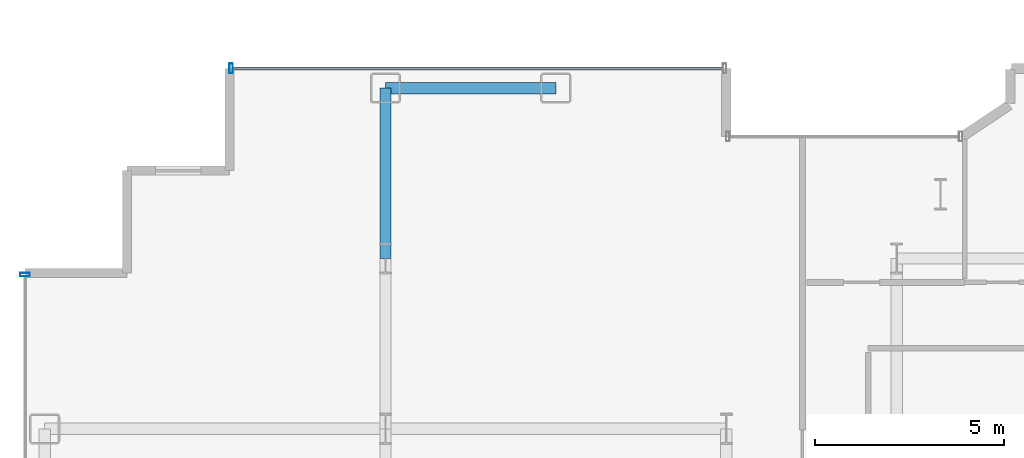
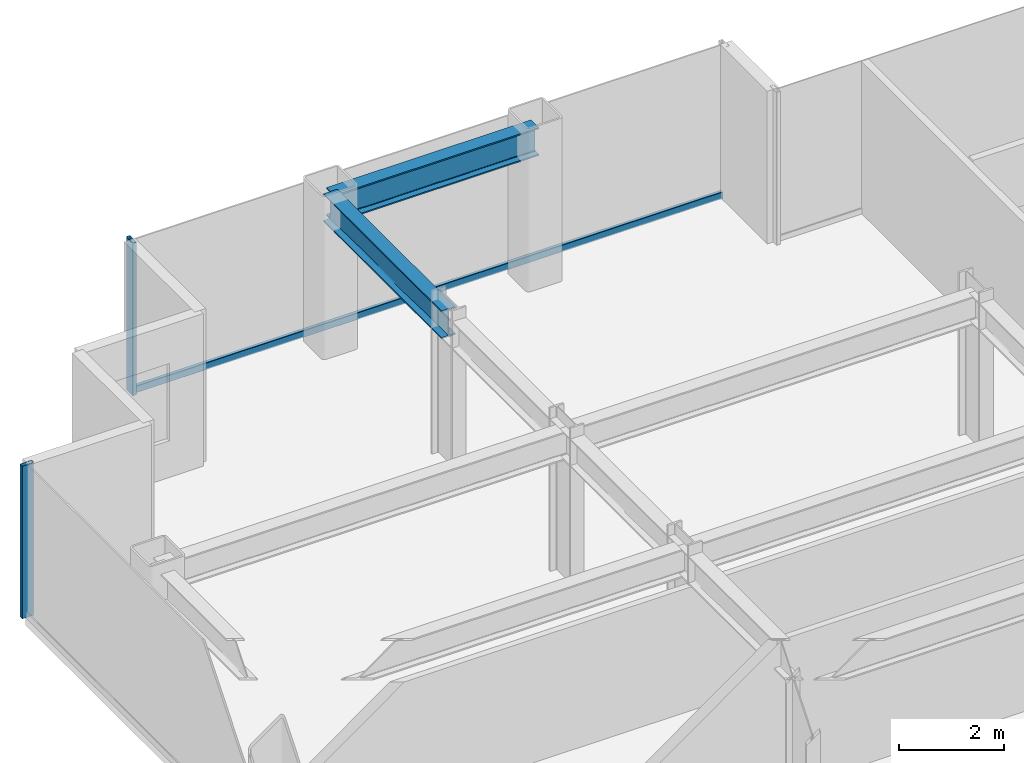
# One storey, part 10 of 23: 3 members, 2 beams, 2 elements without a shape of their own.
"""IFC4 building model written with IfcOpenShell, lengths in metres."""

from ifc_helpers import new_model, si_unit, direction, frame, origin, origin_2d, place, context, subcontext, project, spatial, hollow_rectangle, i_section, extrude, source, transform, mapped, material, layer, layer_set, material_profile, profile_set, type_object, element, aggregate, save


model = new_model("IFC4")

# Units and contexts
model_context = context("Model", 3, precision=1e-05, world=origin(), true_north=direction((0.0, 1.0)))
body_context = subcontext(model_context, "Body", "Model", "MODEL_VIEW")
ifc_project = project(units=[si_unit("LENGTHUNIT", "METRE"), si_unit("AREAUNIT", "SQUARE_METRE"), si_unit("VOLUMEUNIT", "CUBIC_METRE"), si_unit("PLANEANGLEUNIT", "RADIAN"), si_unit("MASSUNIT", "GRAM", prefix="KILO")], contexts=[model_context])

# Site, building, storey
site_placement = place(None, origin())
site = spatial("IfcSite", under=ifc_project, at=site_placement, CompositionType="ELEMENT")
building_placement = place(site_placement, origin())
building = spatial("IfcBuilding", under=site, at=building_placement, Name="Nefas-Gora Pilgrimage Tower", CompositionType="ELEMENT")
storey_placement = place(building_placement, frame((0.0, 0.0, 190.60009765625)))
storey = spatial("IfcBuildingStorey", under=building, at=storey_placement, Name="L47", CompositionType="ELEMENT", Elevation=190.60009765625)

# Beams
ifc_material_1 = material(Name="Steel S355", Category="steel")
ifc_material_profile_1 = material_profile(ifc_material_1, i_section(OverallWidth=0.300048828125, OverallDepth=0.64990234375, WebThickness=0.01611328125, FlangeThickness=0.031005859375, FilletRadius=0.027099609375, at=origin_2d()), Name="HEB 650")
ifc_profile_set_1 = profile_set([ifc_material_profile_1], Name="Steel S355")
beam_type_1 = type_object("IfcBeamType", Name="BM-SPN-HEB500", PredefinedType="SPANDREL", material=ifc_profile_set_1)
shared_shape_1 = source(origin(), body_context, "Body", "SweptSolid", [
    extrude(i_section(OverallWidth=0.300048828125, OverallDepth=0.64990234375, WebThickness=0.01611328125, FlangeThickness=0.031005859375, FilletRadius=0.027099609375, at=origin_2d()), origin(), (0.0, 0.0, 1.0), 4.5),
])
beam_1_placement = place(storey_placement, frame((-24.75, 22.5, 3.224853515625), z_axis=(1.0, 0.0, 0.0), x_axis=(0.0, 1.0, 0.0)))
element("IfcBeam", 1, at=beam_1_placement, inside=storey, type_object=beam_type_1, Name="L47 SP-02 beam", PredefinedType="SPANDREL", context=body_context, shape_type="MappedRepresentation", body=[
    mapped(shared_shape_1, transform((0.0, 0.0, 0.0), x_axis=(1.0, 0.0, 0.0), y_axis=(0.0, 1.0, 0.0), z_axis=(0.0, 0.0, 1.0), scale=1.0)),
])
ifc_material_profile_2 = material_profile(ifc_material_1, i_section(OverallWidth=0.300048828125, OverallDepth=0.64990234375, WebThickness=0.01611328125, FlangeThickness=0.031005859375, FilletRadius=0.027099609375, at=origin_2d()), Name="HEB 650")
ifc_profile_set_2 = profile_set([ifc_material_profile_2], Name="Steel S355")
beam_type_2 = type_object("IfcBeamType", Name="BM-GIR-HEB650", PredefinedType="BEAM", material=ifc_profile_set_2)
shared_shape_2 = source(origin(), body_context, "Body", "SweptSolid", [
    extrude(i_section(OverallWidth=0.300048828125, OverallDepth=0.64990234375, WebThickness=0.01611328125, FlangeThickness=0.031005859375, FilletRadius=0.027099609375, at=origin_2d()), origin(), (0.0, 0.0, 1.0), 4.5),
])
beam_2_placement = place(storey_placement, frame((-24.75, 18.0, 3.224853515625), z_axis=(0.0, 1.0, 0.0), x_axis=(-1.0, 0.0, 0.0)))
element("IfcBeam", 2, at=beam_2_placement, inside=storey, type_object=beam_type_2, Name="L47 G-03 beam", PredefinedType="BEAM", context=body_context, shape_type="MappedRepresentation", body=[
    mapped(shared_shape_2, transform((0.0, 0.0, 0.0), x_axis=(1.0, 0.0, 0.0), y_axis=(0.0, 1.0, 0.0), z_axis=(0.0, 0.0, 1.0), scale=1.0)),
])

# Curtain wall, members
ifc_material_2 = material(Name="Dark ceramic-fritted solar-control aluminium-glass curtain wall", Category="aluminium")
ifc_layer = layer(ifc_material_2, 0.219970703125)
ifc_layer_set = layer_set([ifc_layer], Name="Dark ceramic-fritted solar-control aluminium-glass curtain wall")
curtain_wall_type = type_object("IfcCurtainWallType", Name="CW-SYS-3", PredefinedType="NOTDEFINED", material=ifc_layer_set)
curtain_wall_1_placement = place(storey_placement, origin())
curtain_wall_1 = element("IfcCurtainWall", 3, at=curtain_wall_1_placement, inside=storey, type_object=curtain_wall_type, Name="L47 Unitised Curtain Wall CW3", PredefinedType="NOTDEFINED")
ifc_material_3 = material(Name="Anodised architectural aluminium", Category="aluminium")
ifc_material_profile_3 = material_profile(ifc_material_3, hollow_rectangle(XDim=0.080078125, YDim=0.159912109375, WallThickness=0.00439453125, InnerFilletRadius=0.00439453125, OuterFilletRadius=0.009033203125, at=origin_2d()), Name="ALU TRANSOM 80x160")
ifc_profile_set_3 = profile_set([ifc_material_profile_3], Name="Anodised architectural aluminium")
member_type_1 = type_object("IfcMemberType", Name="CWM-TRN-3", PredefinedType="USERDEFINED", material=ifc_profile_set_3)
shared_shape_3 = source(origin(), body_context, "Body", "SweptSolid", [
    extrude(hollow_rectangle(XDim=0.080078125, YDim=0.159912109375, WallThickness=0.00439453125, InnerFilletRadius=0.00439453125, OuterFilletRadius=0.009033203125, at=origin_2d()), origin(), (0.0, 0.0, 1.0), 12.93994140625),
])
member_1_placement = place(storey_placement, frame((-15.840087890625, 23.02001953125, 0.0498046875), z_axis=(-1.0, 0.0, 0.0), x_axis=(0.0, -1.0, 0.0)))
member_1 = element("IfcMember", 4, at=member_1_placement, type_object=member_type_1, Name="CW3 Spandrel Transom", ObjectType="TRANSOM", PredefinedType="USERDEFINED", context=body_context, shape_type="MappedRepresentation", body=[
    mapped(shared_shape_3, transform((0.0, 0.0, 0.0), x_axis=(1.0, 0.0, 0.0), y_axis=(0.0, 1.0, 0.0), z_axis=(0.0, 0.0, 1.0), scale=1.0)),
])
ifc_material_profile_4 = material_profile(ifc_material_3, hollow_rectangle(XDim=0.090087890625, YDim=0.260009765625, WallThickness=0.006103515625, InnerFilletRadius=0.006103515625, OuterFilletRadius=0.011962890625, at=origin_2d()), Name="ALU MULLION 90x260")
ifc_profile_set_4 = profile_set([ifc_material_profile_4], Name="Anodised architectural aluminium")
member_type_2 = type_object("IfcMemberType", Name="CWM-MUL-3", PredefinedType="MULLION", material=ifc_profile_set_4)
shared_shape_4 = source(origin(), body_context, "Body", "SweptSolid", [
    extrude(hollow_rectangle(XDim=0.090087890625, YDim=0.260009765625, WallThickness=0.006103515625, InnerFilletRadius=0.006103515625, OuterFilletRadius=0.011962890625, at=origin_2d()), origin(), (0.0, 0.0, 1.0), 3.5498046875),
])
member_2_placement = place(storey_placement, frame((-28.824951171875, 23.02001953125, 0.0), z_axis=(0.0, 0.0, 1.0), x_axis=(-1.0, 0.0, 0.0)))
member_2 = element("IfcMember", 5, at=member_2_placement, type_object=member_type_2, Name="CW3 Mullion 2", PredefinedType="MULLION", context=body_context, shape_type="MappedRepresentation", body=[
    mapped(shared_shape_4, transform((0.0, 0.0, 0.0), x_axis=(1.0, 0.0, 0.0), y_axis=(0.0, 1.0, 0.0), z_axis=(0.0, 0.0, 1.0), scale=1.0)),
])
aggregate(curtain_wall_1, [member_2, member_1])

# Curtain wall, member
curtain_wall_2_placement = place(storey_placement, origin())
curtain_wall_2 = element("IfcCurtainWall", 6, at=curtain_wall_2_placement, inside=storey, type_object=curtain_wall_type, Name="L47 Unitised Curtain Wall CW3", PredefinedType="NOTDEFINED")
member_3_placement = place(storey_placement, frame((-34.27001953125, 17.574951171875, 0.0), z_axis=(0.0, 0.0, 1.0), x_axis=(0.0, -1.0, 0.0)))
member_3 = element("IfcMember", 7, at=member_3_placement, type_object=member_type_2, Name="CW3 Mullion 1", PredefinedType="MULLION", context=body_context, shape_type="MappedRepresentation", body=[
    mapped(shared_shape_4, transform((0.0, 0.0, 0.0), x_axis=(1.0, 0.0, 0.0), y_axis=(0.0, 1.0, 0.0), z_axis=(0.0, 0.0, 1.0), scale=1.0)),
])
aggregate(curtain_wall_2, [member_3])

save(model, "model.ifc")
